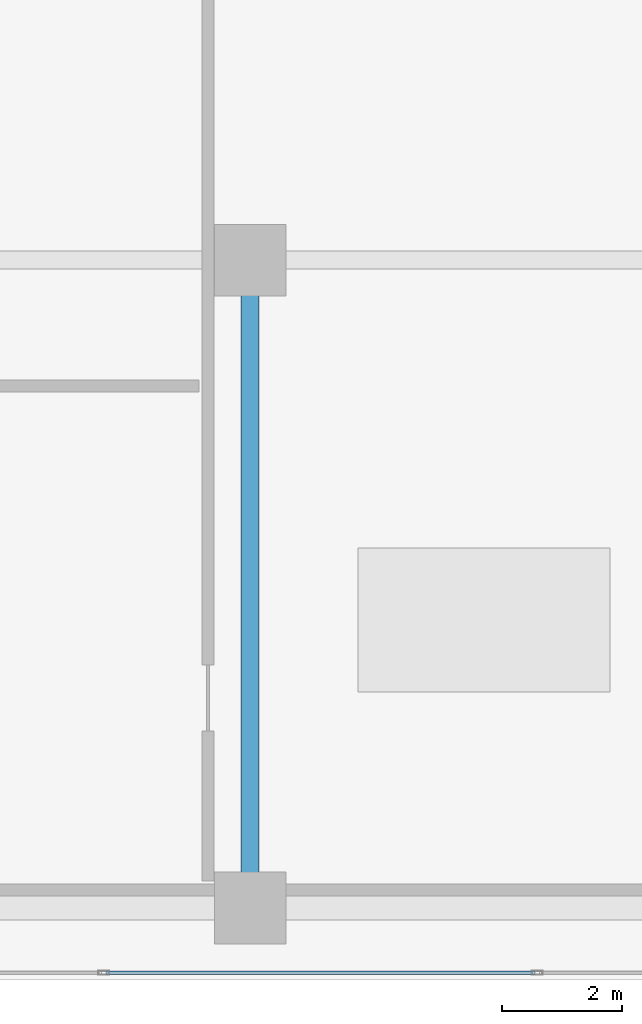
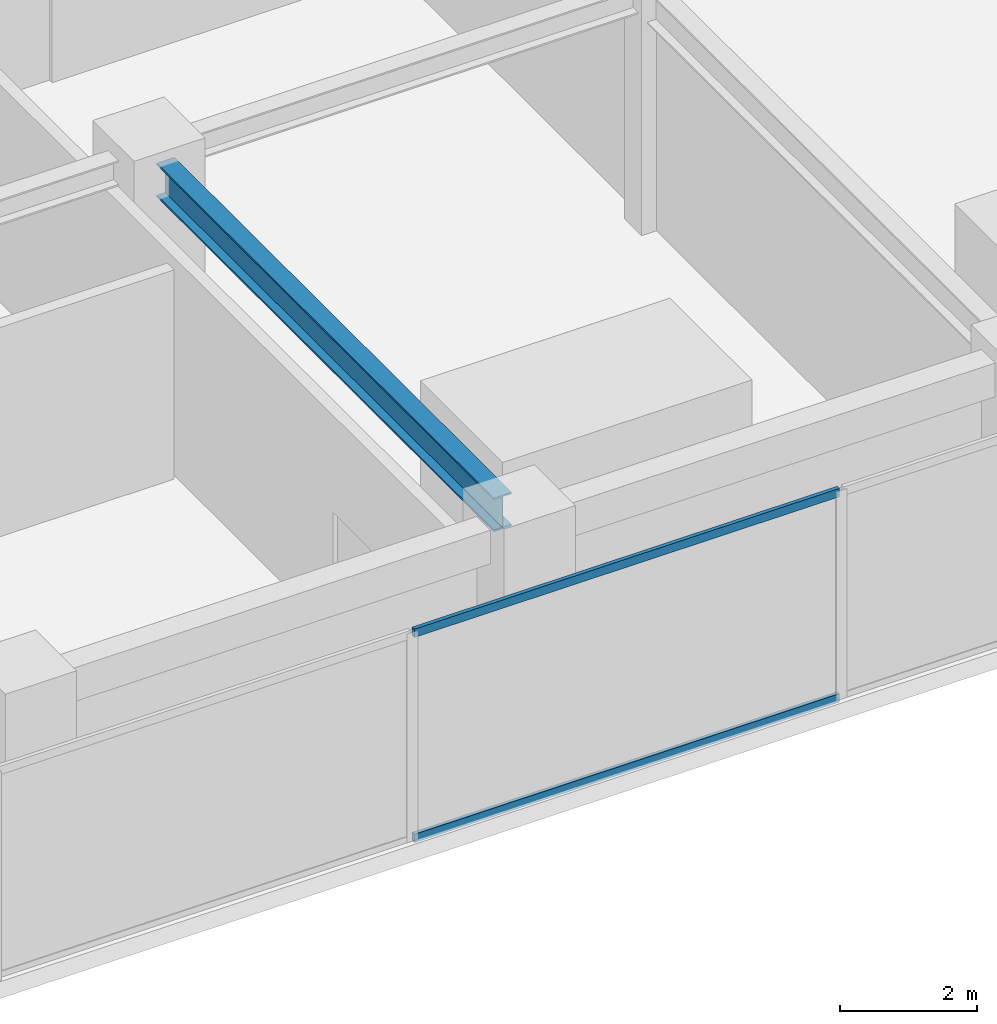
# One storey, part 3 of 19: 2 members, 1 beam, 1 element without a shape of its own.
"""IFC4 building model written with IfcOpenShell, lengths in metres."""

import ifcopenshell
import ifcopenshell.guid

model = None  # the IFC model being written
_history = None  # IfcOwnerHistory: only IFC2X3 demands one
_inside = {}  # id of a spatial element -> (the spatial element, [elements in it])
_under = {}  # id of a project, library or spatial element -> (it, [spatial elements below it])
_declared = {}  # id of a project -> (the project, [libraries it declares])
_typed = {}  # id of a type object -> (the type object, [elements of that type])
_made_of = {}  # id of a material, layer set ... -> (it, [elements and type objects made of it])


def new_model(schema):
    """Start an empty IFC model of exactly this schema.

    Asked for "IFC4X3", IfcOpenShell would pick the latest addendum, in which some entities
    have other attributes; the version numbers below select the first issue.
    IFC2X3 requires an IfcOwnerHistory on every rooted entity: one is made here for all.
    """
    global model, _history
    if schema == "IFC4X3":
        model = ifcopenshell.file(schema_version=(4, 3, 0, 0))
    else:
        model = ifcopenshell.file(schema=schema)
    _inside.clear()
    _under.clear()
    _declared.clear()
    _typed.clear()
    _made_of.clear()
    _history = None
    if model.schema == "IFC2X3":
        org = make("IfcOrganization", Name="unknown")
        user = make(
            "IfcPersonAndOrganization",
            ThePerson=make("IfcPerson", FamilyName="unknown"),
            TheOrganization=org,
        )
        app = make(
            "IfcApplication",
            ApplicationDeveloper=org,
            Version="unknown",
            ApplicationFullName="unknown",
            ApplicationIdentifier="unknown",
        )
        _history = make(
            "IfcOwnerHistory",
            OwningUser=user,
            OwningApplication=app,
            ChangeAction="ADDED",
            CreationDate=0,
        )
    return model


def make(cls, **values):
    """One entity of the class cls with the attributes given. An attribute that is None is left unset."""
    return model.create_entity(
        cls, **{name: value for name, value in values.items() if value is not None}
    )


def rooted(cls, **values):
    """An entity with a GlobalId (a new one), such as an element, a storey or a relation."""
    return make(cls, GlobalId=ifcopenshell.guid.new(), OwnerHistory=_history, **values)


def si_unit(unit_type, name, prefix=None):
    """IfcSIUnit, for example si_unit("LENGTHUNIT", "METRE", prefix="MILLI")."""
    return make("IfcSIUnit", UnitType=unit_type, Prefix=prefix, Name=name)


def assignment(units):
    """IfcUnitAssignment: the units of a project."""
    return None if units is None else make("IfcUnitAssignment", Units=units)


def point(xyz):
    """IfcCartesianPoint."""
    return None if xyz is None else make("IfcCartesianPoint", Coordinates=xyz)


def direction(xyz):
    """IfcDirection."""
    return None if xyz is None else make("IfcDirection", DirectionRatios=xyz)


def frame(location, z_axis=None, x_axis=None):
    """IfcAxis2Placement3D, a coordinate frame: its origin and axes. An axis left out is left unset."""
    return make(
        "IfcAxis2Placement3D",
        Location=point(location),
        Axis=direction(z_axis),
        RefDirection=direction(x_axis),
    )


def frame_2d(location, x_axis=None):
    """IfcAxis2Placement2D, a coordinate frame in the plane: its origin and x axis."""
    return make(
        "IfcAxis2Placement2D", Location=point(location), RefDirection=direction(x_axis)
    )


def origin():
    """The frame at (0, 0, 0) with its axes left unset."""
    return frame((0.0, 0.0, 0.0))


def origin_2d():
    """The frame at (0, 0) in the plane with its x axis left unset."""
    return frame_2d((0.0, 0.0))


def place(relative_to, where):
    """IfcLocalPlacement: puts the frame where relative to a parent placement (None: the world)."""
    return make(
        "IfcLocalPlacement", PlacementRelTo=relative_to, RelativePlacement=where
    )


def context(
    kind, dimensions, precision=None, world=None, true_north=None, identifier=None
):
    """IfcGeometricRepresentationContext, for example the 3D "Model" context."""
    return make(
        "IfcGeometricRepresentationContext",
        ContextIdentifier=identifier,
        ContextType=kind,
        CoordinateSpaceDimension=dimensions,
        Precision=precision,
        WorldCoordinateSystem=world,
        TrueNorth=true_north,
    )


def subcontext(parent, identifier, kind, view, scale=None):
    """IfcGeometricRepresentationSubContext, for example "Body" below "Model"."""
    return make(
        "IfcGeometricRepresentationSubContext",
        ContextIdentifier=identifier,
        ContextType=kind,
        ParentContext=parent,
        TargetScale=scale,
        TargetView=view,
    )


def project(units=None, contexts=None):
    """IfcProject with its units and contexts."""
    return rooted(
        "IfcProject",
        Name="project",
        RepresentationContexts=contexts,
        UnitsInContext=assignment(units),
    )


def spatial(cls, under=None, at=None, **own):
    """A site, building, storey or space (cls), placed at a placement, below another one or the project."""
    s = rooted(cls, ObjectPlacement=at, **own)
    if under is not None:
        _under.setdefault(under.id(), (under, []))[1].append(s)
    return s


def profile(cls, at=None, kind="AREA", **sizes):
    """A parametric profile (cls). Its sizes go by their IFC names, for example OverallWidth=200.0."""
    return make(cls, ProfileType=kind, Position=at, **sizes)


def hollow_rectangle(**sizes):
    """IfcRectangleHollowProfileDef."""
    return profile("IfcRectangleHollowProfileDef", **sizes)


def i_section(**sizes):
    """IfcIShapeProfileDef."""
    return profile("IfcIShapeProfileDef", **sizes)


def extrude(swept, where, along, depth):
    """IfcExtrudedAreaSolid: the profile swept, set in the frame where, extruded along a direction by depth."""
    return make(
        "IfcExtrudedAreaSolid",
        SweptArea=swept,
        Position=where,
        ExtrudedDirection=direction(along),
        Depth=depth,
    )


def shape(context_of_items, identifier, shape_type, items):
    """IfcShapeRepresentation: the items that make up one representation, for example the "Body"."""
    return make(
        "IfcShapeRepresentation",
        ContextOfItems=context_of_items,
        RepresentationIdentifier=identifier,
        RepresentationType=shape_type,
        Items=items,
    )


def source(mapping_origin, context_of_items, identifier, shape_type, items):
    """IfcRepresentationMap: a shape defined once, which mapped items show again and again."""
    return make(
        "IfcRepresentationMap",
        MappingOrigin=mapping_origin,
        MappedRepresentation=shape(context_of_items, identifier, shape_type, items),
    )


def transform(
    local_origin,
    x_axis=None,
    y_axis=None,
    z_axis=None,
    scale=None,
    scale2=None,
    scale3=None,
    uniform=True,
):
    """IfcCartesianTransformationOperator3D, or its non-uniform kind. x_axis, y_axis, z_axis: its Axis1, 2, 3."""
    if uniform:
        return make(
            "IfcCartesianTransformationOperator3D",
            Axis1=direction(x_axis),
            Axis2=direction(y_axis),
            LocalOrigin=point(local_origin),
            Scale=scale,
            Axis3=direction(z_axis),
        )
    return make(
        "IfcCartesianTransformationOperator3DnonUniform",
        Axis1=direction(x_axis),
        Axis2=direction(y_axis),
        LocalOrigin=point(local_origin),
        Scale=scale,
        Axis3=direction(z_axis),
        Scale2=scale2,
        Scale3=scale3,
    )


def mapped(mapping_source, mapping_target):
    """IfcMappedItem: shows the shape of a source again, moved by a transform."""
    return make(
        "IfcMappedItem", MappingSource=mapping_source, MappingTarget=mapping_target
    )


def material(Name=None, Category=None):
    """IfcMaterial."""
    return make("IfcMaterial", Name=Name, Category=Category)


def layer(
    of_material, thickness, ventilated=None, Name=None, Category=None, Priority=None
):
    """IfcMaterialLayer: one layer of a wall or slab, of a material (None: an air gap)."""
    return make(
        "IfcMaterialLayer",
        Material=of_material,
        LayerThickness=thickness,
        IsVentilated=ventilated,
        Name=Name,
        Category=Category,
        Priority=Priority,
    )


def layer_set(layers, Name=None):
    """IfcMaterialLayerSet."""
    return make("IfcMaterialLayerSet", MaterialLayers=layers, LayerSetName=Name)


def material_profile(
    of_material, cross_section, Name=None, Category=None, Priority=None
):
    """IfcMaterialProfile: a cross section and its material."""
    return make(
        "IfcMaterialProfile",
        Name=Name,
        Material=of_material,
        Profile=cross_section,
        Priority=Priority,
        Category=Category,
    )


def profile_set(profiles, Name=None, composite=None):
    """IfcMaterialProfileSet."""
    return make(
        "IfcMaterialProfileSet",
        Name=Name,
        MaterialProfiles=profiles,
        CompositeProfile=composite,
    )


def made_of(thing, what):
    """Note that an element or type object is made of a material, layer set ...; save() writes the relation."""
    if what is not None:
        _made_of.setdefault(what.id(), (what, []))[1].append(thing)
    return thing


def type_object(cls, material=None, **own):
    """A type object (cls), such as IfcWallType, which elements share."""
    return made_of(rooted(cls, **own), material)


def element(
    cls,
    number,
    at=None,
    inside=None,
    cuts=None,
    type_object=None,
    material=None,
    context=None,
    identifier="Body",
    shape_type=None,
    held_by="IfcProductDefinitionShape",
    body=None,
    shapes=None,
    **own,
):
    """One element of the class cls, such as IfcWall. Its Tag is "e" and its number.

    at: its placement. inside: the storey or other place that contains it. cuts: it is an
    opening in that element (IfcRelVoidsElement). A single representation is given by context,
    identifier, shape_type and body (its items); several are given by shapes. held_by: the class
    of the entity that holds the representations. save() writes the other relations.
    """
    e = rooted(cls, Tag="e%d" % number, ObjectPlacement=at, **own)
    if body is not None:
        shapes = [shape(context, identifier, shape_type, body)]
    if shapes is not None:
        e.Representation = make(held_by, Representations=shapes)
    if inside is not None:
        _inside.setdefault(inside.id(), (inside, []))[1].append(e)
    if cuts is not None:
        rooted(
            "IfcRelVoidsElement", RelatingBuildingElement=cuts, RelatedOpeningElement=e
        )
    if type_object is not None:
        _typed.setdefault(type_object.id(), (type_object, []))[1].append(e)
    return made_of(e, material)


def aggregate(whole, parts):
    """IfcRelAggregates: a whole, such as a stair, and the parts it consists of."""
    return rooted("IfcRelAggregates", RelatingObject=whole, RelatedObjects=parts)


def save(model, path):
    """Write the relations noted so far, then the file.

    IfcRelAggregates (storeys below a building ...), IfcRelContainedInSpatialStructure (elements
    in a storey), IfcRelDefinesByType, IfcRelAssociatesMaterial and IfcRelDeclares: one each for
    every whole, place, type object, material and project.
    """
    for whole, parts in _under.values():
        aggregate(whole, parts)
    for where, things in _inside.values():
        rooted(
            "IfcRelContainedInSpatialStructure",
            RelatedElements=things,
            RelatingStructure=where,
        )
    for kind, things in _typed.values():
        rooted("IfcRelDefinesByType", RelatedObjects=things, RelatingType=kind)
    for what, things in _made_of.values():
        rooted("IfcRelAssociatesMaterial", RelatedObjects=things, RelatingMaterial=what)
    for by, libraries in _declared.values():
        rooted("IfcRelDeclares", RelatingContext=by, RelatedDefinitions=libraries)
    model.write(path)


model = new_model("IFC4")

# Units and contexts
model_context = context("Model", 3, precision=1e-05, world=origin(), true_north=direction((0.0, 1.0)))
body_context = subcontext(model_context, "Body", "Model", "MODEL_VIEW")
ifc_project = project(units=[si_unit("LENGTHUNIT", "METRE"), si_unit("AREAUNIT", "SQUARE_METRE"), si_unit("VOLUMEUNIT", "CUBIC_METRE"), si_unit("PLANEANGLEUNIT", "RADIAN"), si_unit("MASSUNIT", "GRAM", prefix="KILO")], contexts=[model_context])

# Site, building, storey
site_placement = place(None, origin())
site = spatial("IfcSite", under=ifc_project, at=site_placement, CompositionType="ELEMENT")
building_placement = place(site_placement, origin())
building = spatial("IfcBuilding", under=site, at=building_placement, Name="Sumidabori Civic Tower", CompositionType="ELEMENT")
storey_placement = place(building_placement, frame((0.0, 0.0, 293.60009765625)))
storey = spatial("IfcBuildingStorey", under=building, at=storey_placement, Name="L77", CompositionType="ELEMENT", Elevation=293.60009765625)

# Beam
ifc_material_1 = material(Name="Steel SN490", Category="steel")
ifc_material_profile_1 = material_profile(ifc_material_1, i_section(OverallWidth=0.300048828125, OverallDepth=0.60009765625, WebThickness=0.015380859375, FlangeThickness=0.030029296875, at=origin_2d()), Name="HE 600 B")
ifc_profile_set_1 = profile_set([ifc_material_profile_1], Name="Steel SN490")
beam_type = type_object("IfcBeamType", Name="BM-GIRD-600", PredefinedType="BEAM", material=ifc_profile_set_1)
shared_shape_1 = source(origin(), body_context, "Body", "SweptSolid", [
    extrude(i_section(OverallWidth=0.300048828125, OverallDepth=0.60009765625, WebThickness=0.015380859375, FlangeThickness=0.030029296875, at=origin_2d()), origin(), (0.0, 0.0, 1.0), 9.840087890625),
])
beam_placement = place(storey_placement, frame((-8.39990234375, -10.320068359375, 4.039794921875), z_axis=(0.0, 1.0, 0.0), x_axis=(-1.0, 0.0, 0.0)))
element("IfcBeam", 1, at=beam_placement, inside=storey, type_object=beam_type, Name="Primary Girder L77 GY-05", PredefinedType="BEAM", context=body_context, shape_type="MappedRepresentation", body=[
    mapped(shared_shape_1, transform((0.0, 0.0, 0.0), x_axis=(1.0, 0.0, 0.0), y_axis=(0.0, 1.0, 0.0), z_axis=(0.0, 0.0, 1.0), scale=1.0)),
])

# Curtain wall, members
ifc_material_2 = material(Name="Anodised Bronze Aluminium AW-6063-T6", Category="aluminium")
ifc_layer = layer(ifc_material_2, 0.179931640625, Name="Anodised Bronze Aluminium AW-6063-T6")
ifc_layer_set = layer_set([ifc_layer], Name="Anodised Bronze Aluminium AW-6063-T6")
curtain_wall_type = type_object("IfcCurtainWallType", Name="CW-SYS-6", PredefinedType="NOTDEFINED", material=ifc_layer_set)
curtain_wall_placement = place(storey_placement, origin())
curtain_wall = element("IfcCurtainWall", 2, at=curtain_wall_placement, inside=storey, type_object=curtain_wall_type, Name="Curtain Wall CW:L77:R01", PredefinedType="NOTDEFINED")
ifc_material_profile_2 = material_profile(ifc_material_2, hollow_rectangle(XDim=0.06494140625, YDim=0.14990234375, WallThickness=0.0048828125, at=origin_2d()), Name="ALU TRANSOM 150x65")
ifc_profile_set_2 = profile_set([ifc_material_profile_2], Name="Anodised Bronze Aluminium AW-6063-T6")
member_type = type_object("IfcMemberType", Name="CW-TRN-150", PredefinedType="USERDEFINED", material=ifc_profile_set_2)
shared_shape_2 = source(origin(), body_context, "Body", "SweptSolid", [
    extrude(hollow_rectangle(XDim=0.06494140625, YDim=0.14990234375, WallThickness=0.0048828125, at=origin_2d()), origin(), (0.0, 0.0, 1.0), 7.157958984375),
])
member_1_placement = place(storey_placement, frame((-10.806884765625, -11.8798828125, 0.032470703125), z_axis=(1.0, 0.0, 0.0), x_axis=(0.0, 1.0, 0.0)))
member_1 = element("IfcMember", 3, at=member_1_placement, type_object=member_type, Name="CW-6 transom 2.1", ObjectType="TRANSOM", PredefinedType="USERDEFINED", context=body_context, shape_type="MappedRepresentation", body=[
    mapped(shared_shape_2, transform((0.0, 0.0, 0.0), x_axis=(1.0, 0.0, 0.0), y_axis=(0.0, 1.0, 0.0), z_axis=(0.0, 0.0, 1.0), scale=1.0)),
])
member_2_placement = place(storey_placement, frame((-10.806884765625, -11.8798828125, 3.6875), z_axis=(1.0, 0.0, 0.0), x_axis=(0.0, 1.0, 0.0)))
member_2 = element("IfcMember", 4, at=member_2_placement, type_object=member_type, Name="CW-6 transom 2.2", ObjectType="TRANSOM", PredefinedType="USERDEFINED", context=body_context, shape_type="MappedRepresentation", body=[
    mapped(shared_shape_2, transform((0.0, 0.0, 0.0), x_axis=(1.0, 0.0, 0.0), y_axis=(0.0, 1.0, 0.0), z_axis=(0.0, 0.0, 1.0), scale=1.0)),
])
aggregate(curtain_wall, [member_1, member_2])

save(model, "model.ifc")
